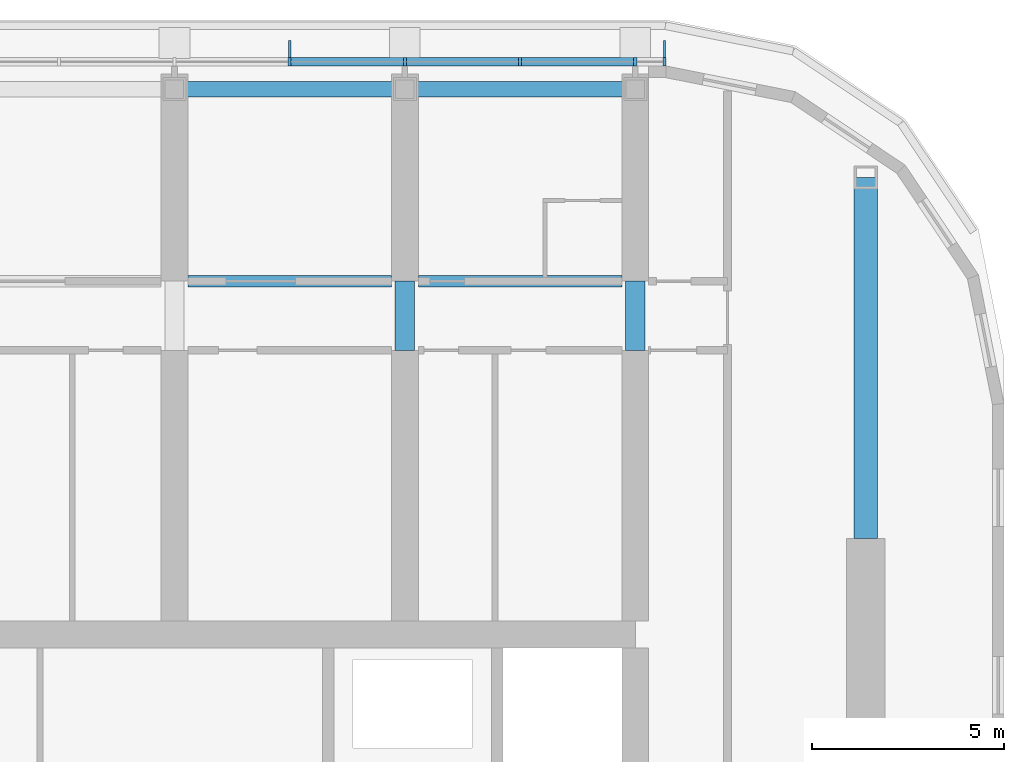
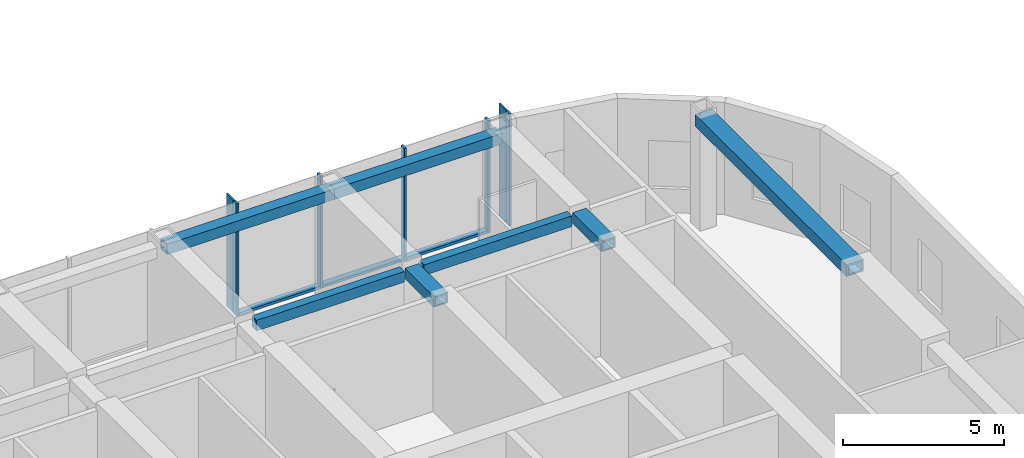
# One storey, part 5 of 35: 10 members, 7 beams, 1 element without a shape of its own.
"""IFC4 building model written with IfcOpenShell, lengths in metres."""

from ifc_helpers import new_model, si_unit, direction, frame, origin, origin_2d, place, context, subcontext, project, spatial, rectangle, hollow_rectangle, extrude, material, material_profile, profile_set, type_object, element, aggregate, save


model = new_model("IFC4")

# Units and contexts
model_context = context("Model", 3, precision=1e-05, world=origin(), true_north=direction((0.0, 1.0)))
body_context = subcontext(model_context, "Body", "Model", "MODEL_VIEW")
ifc_project = project(units=[si_unit("LENGTHUNIT", "METRE"), si_unit("AREAUNIT", "SQUARE_METRE"), si_unit("VOLUMEUNIT", "CUBIC_METRE"), si_unit("PLANEANGLEUNIT", "RADIAN"), si_unit("MASSUNIT", "GRAM", prefix="KILO")], contexts=[model_context])

# Site, building, storey
site_placement = place(None, origin())
site = spatial("IfcSite", under=ifc_project, at=site_placement, CompositionType="ELEMENT")
building_placement = place(site_placement, origin())
building = spatial("IfcBuilding", under=site, at=building_placement, Name="Orbita Commons", CompositionType="ELEMENT")
storey_placement = place(building_placement, frame((0.0, 0.0, 208.300048828125)))
storey = spatial("IfcBuildingStorey", under=building, at=storey_placement, Name="L51", CompositionType="ELEMENT", Elevation=208.300048828125)

# Curtain wall, members
ifc_material_1 = material(Name="Anodised aluminium frame, pale silver", Category="aluminium")
curtain_wall_type = type_object("IfcCurtainWallType", Name="Unitised curtain wall CW-S, full-height", PredefinedType="NOTDEFINED", material=ifc_material_1)
curtain_wall_placement = place(storey_placement, origin())
curtain_wall = element("IfcCurtainWall", 1, at=curtain_wall_placement, inside=storey, type_object=curtain_wall_type, Name="Curtain wall north L51", PredefinedType="NOTDEFINED")
ifc_material_2 = material(Name="Anodised aluminium, pale silver", Category="aluminium")
ifc_material_profile_1 = material_profile(ifc_material_2, rectangle(XDim=0.080078125, YDim=0.219970703125, at=origin_2d()), Name="AL 80x220")
ifc_profile_set_1 = profile_set([ifc_material_profile_1], Name="Anodised aluminium, pale silver")
member_type_1 = type_object("IfcMemberType", Name="Curtain wall mullion 80x220", PredefinedType="MULLION", material=ifc_profile_set_1)
member_1_placement = place(storey_placement, frame((66.760009765625, 53.110107421875, 0.0), z_axis=(0.0, 0.0, 1.0), x_axis=(-1.0, 0.0, 0.0)))
member_1 = element("IfcMember", 2, at=member_1_placement, type_object=member_type_1, Name="Mullion 1 CW-L51-N", PredefinedType="MULLION", context=body_context, shape_type="SweptSolid", body=[
    extrude(rectangle(XDim=0.080078125, YDim=0.219970703125, at=origin_2d()), origin(), (0.0, 0.0, 1.0), 4.25),
])
member_2_placement = place(storey_placement, frame((66.0, 53.110107421875, 0.0), z_axis=(0.0, 0.0, 1.0), x_axis=(-1.0, 0.0, 0.0)))
member_2 = element("IfcMember", 3, at=member_2_placement, type_object=member_type_1, Name="Mullion 2 CW-L51-N", PredefinedType="MULLION", context=body_context, shape_type="SweptSolid", body=[
    extrude(rectangle(XDim=0.080078125, YDim=0.219970703125, at=origin_2d()), origin(), (0.0, 0.0, 1.0), 4.25),
])
member_3_placement = place(storey_placement, frame((63.0, 53.110107421875, 0.0), z_axis=(0.0, 0.0, 1.0), x_axis=(-1.0, 0.0, 0.0)))
member_3 = element("IfcMember", 4, at=member_3_placement, type_object=member_type_1, Name="Mullion 3 CW-L51-N", PredefinedType="MULLION", context=body_context, shape_type="SweptSolid", body=[
    extrude(rectangle(XDim=0.080078125, YDim=0.219970703125, at=origin_2d()), origin(), (0.0, 0.0, 1.0), 4.25),
])
member_4_placement = place(storey_placement, frame((60.0, 53.110107421875, 0.0), z_axis=(0.0, 0.0, 1.0), x_axis=(-1.0, 0.0, 0.0)))
member_4 = element("IfcMember", 5, at=member_4_placement, type_object=member_type_1, Name="Mullion 4 CW-L51-N", PredefinedType="MULLION", context=body_context, shape_type="SweptSolid", body=[
    extrude(rectangle(XDim=0.080078125, YDim=0.219970703125, at=origin_2d()), origin(), (0.0, 0.0, 1.0), 4.25),
])
member_5_placement = place(storey_placement, frame((57.0, 53.110107421875, 0.0), z_axis=(0.0, 0.0, 1.0), x_axis=(-1.0, 0.0, 0.0)))
member_5 = element("IfcMember", 6, at=member_5_placement, type_object=member_type_1, Name="Mullion 5 CW-L51-N", PredefinedType="MULLION", context=body_context, shape_type="SweptSolid", body=[
    extrude(rectangle(XDim=0.080078125, YDim=0.219970703125, at=origin_2d()), origin(), (0.0, 0.0, 1.0), 4.25),
])
ifc_material_3 = material(Name="Anodised aluminium, pale silver", Category="aluminium")
ifc_material_profile_2 = material_profile(ifc_material_3, rectangle(XDim=0.219970703125, YDim=0.10009765625, at=origin_2d()), Name="AL 220x100")
ifc_profile_set_2 = profile_set([ifc_material_profile_2], Name="Anodised aluminium, pale silver")
member_type_2 = type_object("IfcMemberType", Name="Curtain wall stack transom 220x100", PredefinedType="USERDEFINED", material=ifc_profile_set_2)
member_6_placement = place(storey_placement, frame((65.9599609375, 53.110107421875, 0.050048828125), z_axis=(-1.0, 0.0, 0.0), x_axis=(0.0, -1.0, 0.0)))
member_6 = element("IfcMember", 7, at=member_6_placement, type_object=member_type_2, Name="Transom 2.1 CW-L51-N", ObjectType="TRANSOM", PredefinedType="USERDEFINED", context=body_context, shape_type="SweptSolid", body=[
    extrude(rectangle(XDim=0.219970703125, YDim=0.10009765625, at=origin_2d()), origin(), (0.0, 0.0, 1.0), 2.919921875),
])
member_7_placement = place(storey_placement, frame((62.9599609375, 53.110107421875, 0.050048828125), z_axis=(-1.0, 0.0, 0.0), x_axis=(0.0, -1.0, 0.0)))
member_7 = element("IfcMember", 8, at=member_7_placement, type_object=member_type_2, Name="Transom 3.1 CW-L51-N", ObjectType="TRANSOM", PredefinedType="USERDEFINED", context=body_context, shape_type="SweptSolid", body=[
    extrude(rectangle(XDim=0.219970703125, YDim=0.10009765625, at=origin_2d()), origin(), (0.0, 0.0, 1.0), 2.919921875),
])
member_8_placement = place(storey_placement, frame((59.9599609375, 53.110107421875, 0.050048828125), z_axis=(-1.0, 0.0, 0.0), x_axis=(0.0, -1.0, 0.0)))
member_8 = element("IfcMember", 9, at=member_8_placement, type_object=member_type_2, Name="Transom 4.1 CW-L51-N", ObjectType="TRANSOM", PredefinedType="USERDEFINED", context=body_context, shape_type="SweptSolid", body=[
    extrude(rectangle(XDim=0.219970703125, YDim=0.10009765625, at=origin_2d()), origin(), (0.0, 0.0, 1.0), 2.919921875),
])

# Beams
ifc_material_4 = material(Name="Steel ASTM A572 Gr 50 welded plate", Category="steel")
ifc_material_profile_3 = material_profile(ifc_material_4, hollow_rectangle(XDim=0.300048828125, YDim=0.39990234375, WallThickness=0.0400390625, at=origin_2d()), Name="BOX 400x300x40")
ifc_profile_set_3 = profile_set([ifc_material_profile_3], Name="Steel ASTM A572 Gr 50 welded plate")
beam_type_1 = type_object("IfcBeamType", Name="Steel corridor link BOX 400x300x40", PredefinedType="BEAM", material=ifc_profile_set_3)
for number, where, z_axis, x_axis, name in (
    (10, (54.35009765625, 47.39990234375, 4.050048828125), (1.0, 0.0, 0.0), (0.0, 1.0, 0.0), "Corridor beam NB 10-11 L51"),
    (11, (60.35009765625, 47.39990234375, 4.050048828125), (1.0, 0.0, 0.0), (0.0, 1.0, 0.0), "Corridor beam NB 11-12 L51"),
):
    element("IfcBeam", number, at=place(storey_placement, frame(where, z_axis=z_axis, x_axis=x_axis)), inside=storey, type_object=beam_type_1, Name=name, PredefinedType="BEAM", context=body_context, shape_type="SweptSolid", body=[
        extrude(hollow_rectangle(XDim=0.300048828125, YDim=0.39990234375, WallThickness=0.0400390625, at=origin_2d()), origin(), (0.0, 0.0, 1.0), 5.2998046875),
    ])
ifc_material_5 = material(Name="Steel ASTM A572 Gr 50 welded plate", Category="steel")
ifc_material_profile_4 = material_profile(ifc_material_5, hollow_rectangle(XDim=0.5, YDim=0.39990234375, WallThickness=0.050048828125, at=origin_2d()), Name="BOX 400x500x50")
ifc_profile_set_4 = profile_set([ifc_material_profile_4], Name="Steel ASTM A572 Gr 50 welded plate")
beam_type_2 = type_object("IfcBeamType", Name="Steel coupling link BOX 400x500x50", PredefinedType="LINTEL", material=ifc_profile_set_4)
for number, where, z_axis, x_axis, name in (
    (12, (60.0, 45.60009765625, 4.050048828125), (0.0, 1.0, 0.0), (-1.0, 0.0, 0.0), "Coupling beam 11 north L51"),
    (13, (66.0, 45.60009765625, 4.050048828125), (0.0, 1.0, 0.0), (-1.0, 0.0, 0.0), "Coupling beam 12 north L51"),
):
    element("IfcBeam", number, at=place(storey_placement, frame(where, z_axis=z_axis, x_axis=x_axis)), inside=storey, type_object=beam_type_2, Name=name, PredefinedType="LINTEL", context=body_context, shape_type="SweptSolid", body=[
        extrude(hollow_rectangle(XDim=0.5, YDim=0.39990234375, WallThickness=0.050048828125, at=origin_2d()), origin(), (0.0, 0.0, 1.0), 1.7998046875),
    ])
ifc_material_6 = material(Name="Steel ASTM A572 Gr 50 welded plate", Category="steel")
ifc_material_profile_5 = material_profile(ifc_material_6, hollow_rectangle(XDim=0.60009765625, YDim=0.449951171875, WallThickness=0.06005859375, at=origin_2d()), Name="BOX 450x600x60")
ifc_profile_set_5 = profile_set([ifc_material_profile_5], Name="Steel ASTM A572 Gr 50 welded plate")
beam_type_3 = type_object("IfcBeamType", Name="Steel end frame link BOX 450x600x60", PredefinedType="BEAM", material=ifc_profile_set_5)
beam_placement = place(storey_placement, frame((72.0, 40.699951171875, 4.02490234375), z_axis=(0.0, 1.0, 0.0), x_axis=(-1.0, 0.0, 0.0)))
element("IfcBeam", 14, at=beam_placement, inside=storey, type_object=beam_type_3, Name="End frame beam 13 D-E L51", PredefinedType="BEAM", context=body_context, shape_type="SweptSolid", body=[
    extrude(hollow_rectangle(XDim=0.60009765625, YDim=0.449951171875, WallThickness=0.06005859375, at=origin_2d()), origin(), (0.0, 0.0, 1.0), 9.400146484375),
])
ifc_material_7 = material(Name="Steel ASTM A572 Gr 50 welded plate", Category="steel")
ifc_material_profile_6 = material_profile(ifc_material_7, hollow_rectangle(XDim=0.39990234375, YDim=0.39990234375, WallThickness=0.0400390625, at=origin_2d()), Name="BOX 400x400x40")
ifc_profile_set_6 = profile_set([ifc_material_profile_6], Name="Steel ASTM A572 Gr 50 welded plate")
beam_type_4 = type_object("IfcBeamType", Name="Steel spandrel BOX 400x400x40", PredefinedType="SPANDREL", material=ifc_profile_set_6)
for number, where, z_axis, x_axis, name in (
    (15, (54.0, 52.39990234375, 4.050048828125), (1.0, 0.0, 0.0), (0.0, 1.0, 0.0), "Spandrel beam E 10-11 L51"),
    (16, (60.0, 52.39990234375, 4.050048828125), (1.0, 0.0, 0.0), (0.0, 1.0, 0.0), "Spandrel beam E 11-12 L51"),
):
    element("IfcBeam", number, at=place(storey_placement, frame(where, z_axis=z_axis, x_axis=x_axis)), inside=storey, type_object=beam_type_4, Name=name, PredefinedType="SPANDREL", context=body_context, shape_type="SweptSolid", body=[
        extrude(hollow_rectangle(XDim=0.39990234375, YDim=0.39990234375, WallThickness=0.0400390625, at=origin_2d()), origin(), (0.0, 0.0, 1.0), 6.0),
    ])

# Member
ifc_material_8 = material(Name="Anodised aluminium, pale silver", Category="aluminium")
ifc_material_profile_7 = material_profile(ifc_material_8, rectangle(XDim=0.06005859375, YDim=0.449951171875, at=origin_2d()), Name="FIN 60x450")
ifc_profile_set_7 = profile_set([ifc_material_profile_7], Name="Anodised aluminium, pale silver")
member_type_3 = type_object("IfcMemberType", Name="Vertical fin 60x450 pale aluminium", PredefinedType="USERDEFINED", material=ifc_profile_set_7)
member_9_placement = place(storey_placement, frame((66.760009765625, 53.445068359375, 0.0), z_axis=(0.0, 0.0, 1.0), x_axis=(-1.0, 0.0, 0.0)))
member_9 = element("IfcMember", 17, at=member_9_placement, type_object=member_type_3, Name="Fin 1 CW-L51-N", ObjectType="FIN", PredefinedType="USERDEFINED", context=body_context, shape_type="SweptSolid", body=[
    extrude(rectangle(XDim=0.06005859375, YDim=0.449951171875, at=origin_2d()), origin(), (0.0, 0.0, 1.0), 4.25),
])

member_10_placement = place(storey_placement, frame((57.0, 53.445068359375, 0.0), z_axis=(0.0, 0.0, 1.0), x_axis=(-1.0, 0.0, 0.0)))
member_10 = element("IfcMember", 18, at=member_10_placement, type_object=member_type_3, Name="Fin 5 CW-L51-N", ObjectType="FIN", PredefinedType="USERDEFINED", context=body_context, shape_type="SweptSolid", body=[
    extrude(rectangle(XDim=0.06005859375, YDim=0.449951171875, at=origin_2d()), origin(), (0.0, 0.0, 1.0), 4.25),
])

aggregate(curtain_wall, [member_1, member_9, member_2, member_3, member_4, member_5, member_10, member_6, member_7, member_8])

save(model, "model.ifc")
